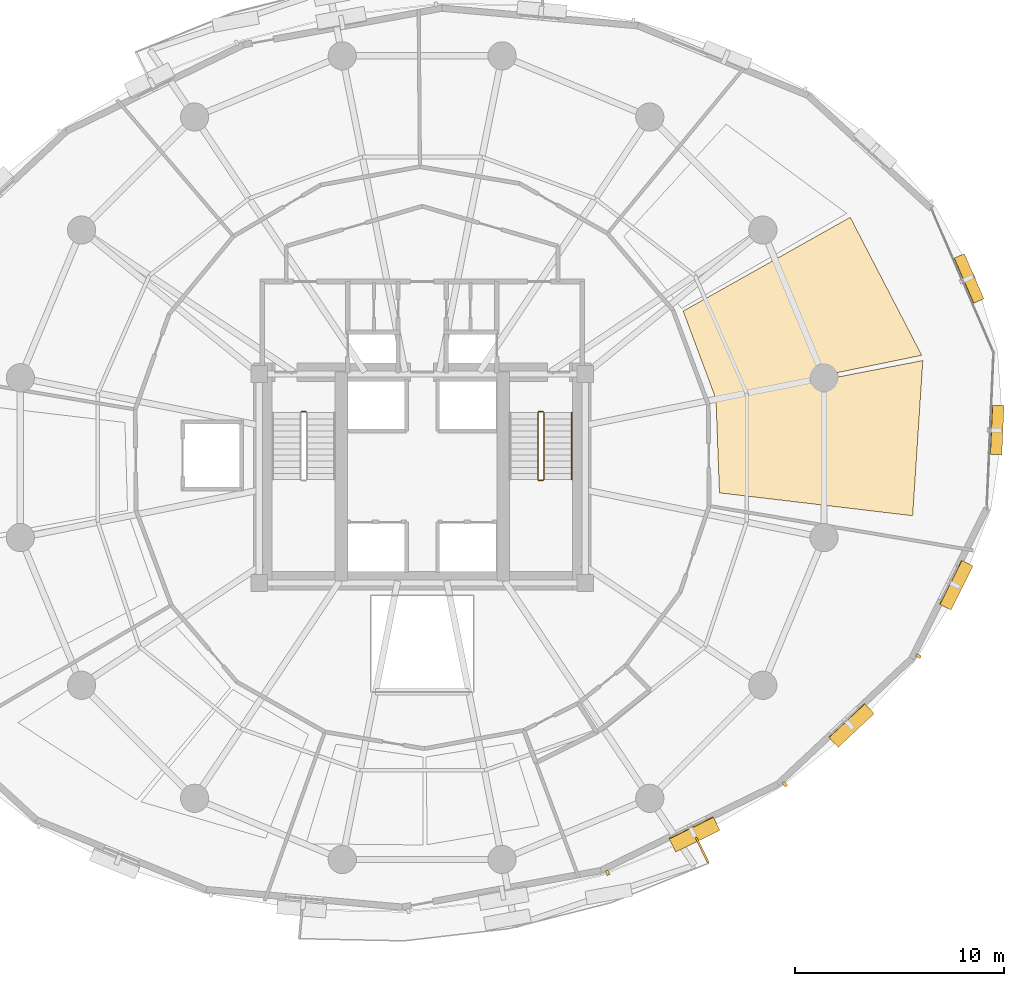
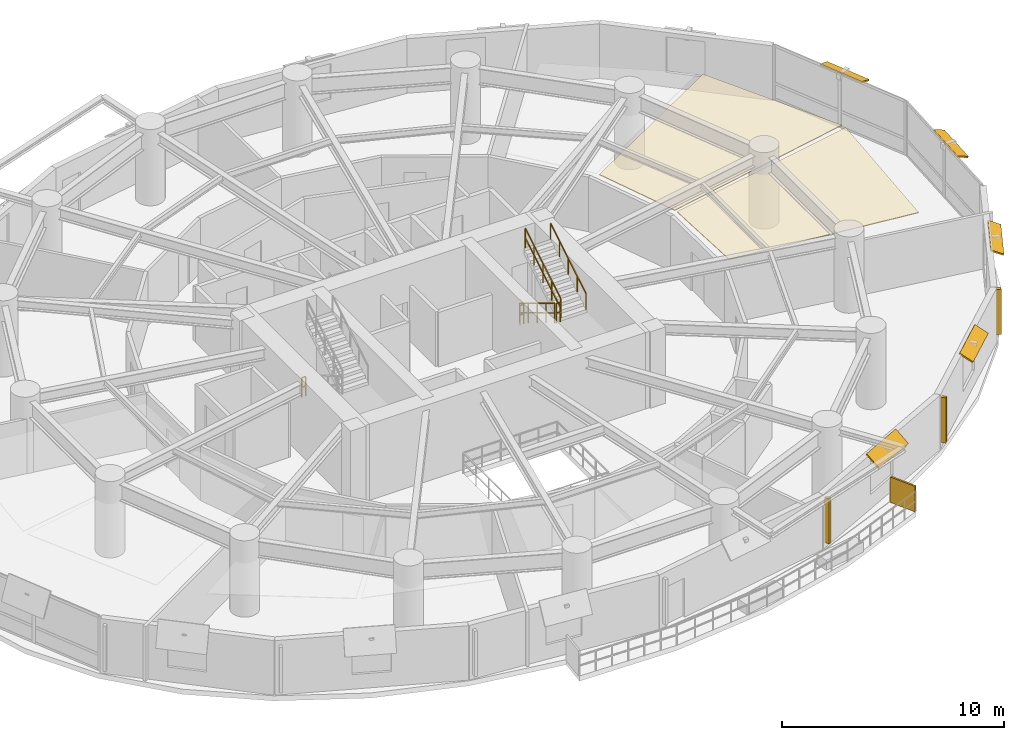
# One storey, part 16 of 17: 9 shading devices, 6 railings, 2 coverings.
"""IFC4 building model written with IfcOpenShell, lengths in metres."""

import ifcopenshell
import ifcopenshell.guid

model = None  # the IFC model being written
_history = None  # IfcOwnerHistory: only IFC2X3 demands one
_inside = {}  # id of a spatial element -> (the spatial element, [elements in it])
_under = {}  # id of a project, library or spatial element -> (it, [spatial elements below it])
_declared = {}  # id of a project -> (the project, [libraries it declares])
_typed = {}  # id of a type object -> (the type object, [elements of that type])
_made_of = {}  # id of a material, layer set ... -> (it, [elements and type objects made of it])


def new_model(schema):
    """Start an empty IFC model of exactly this schema.

    Asked for "IFC4X3", IfcOpenShell would pick the latest addendum, in which some entities
    have other attributes; the version numbers below select the first issue.
    IFC2X3 requires an IfcOwnerHistory on every rooted entity: one is made here for all.
    """
    global model, _history
    if schema == "IFC4X3":
        model = ifcopenshell.file(schema_version=(4, 3, 0, 0))
    else:
        model = ifcopenshell.file(schema=schema)
    _inside.clear()
    _under.clear()
    _declared.clear()
    _typed.clear()
    _made_of.clear()
    _history = None
    if model.schema == "IFC2X3":
        org = make("IfcOrganization", Name="unknown")
        user = make(
            "IfcPersonAndOrganization",
            ThePerson=make("IfcPerson", FamilyName="unknown"),
            TheOrganization=org,
        )
        app = make(
            "IfcApplication",
            ApplicationDeveloper=org,
            Version="unknown",
            ApplicationFullName="unknown",
            ApplicationIdentifier="unknown",
        )
        _history = make(
            "IfcOwnerHistory",
            OwningUser=user,
            OwningApplication=app,
            ChangeAction="ADDED",
            CreationDate=0,
        )
    return model


def make(cls, **values):
    """One entity of the class cls with the attributes given. An attribute that is None is left unset."""
    return model.create_entity(
        cls, **{name: value for name, value in values.items() if value is not None}
    )


def rooted(cls, **values):
    """An entity with a GlobalId (a new one), such as an element, a storey or a relation."""
    return make(cls, GlobalId=ifcopenshell.guid.new(), OwnerHistory=_history, **values)


def si_unit(unit_type, name, prefix=None):
    """IfcSIUnit, for example si_unit("LENGTHUNIT", "METRE", prefix="MILLI")."""
    return make("IfcSIUnit", UnitType=unit_type, Prefix=prefix, Name=name)


def assignment(units):
    """IfcUnitAssignment: the units of a project."""
    return None if units is None else make("IfcUnitAssignment", Units=units)


def point(xyz):
    """IfcCartesianPoint."""
    return None if xyz is None else make("IfcCartesianPoint", Coordinates=xyz)


def direction(xyz):
    """IfcDirection."""
    return None if xyz is None else make("IfcDirection", DirectionRatios=xyz)


def frame(location, z_axis=None, x_axis=None):
    """IfcAxis2Placement3D, a coordinate frame: its origin and axes. An axis left out is left unset."""
    return make(
        "IfcAxis2Placement3D",
        Location=point(location),
        Axis=direction(z_axis),
        RefDirection=direction(x_axis),
    )


def frame_2d(location, x_axis=None):
    """IfcAxis2Placement2D, a coordinate frame in the plane: its origin and x axis."""
    return make(
        "IfcAxis2Placement2D", Location=point(location), RefDirection=direction(x_axis)
    )


def origin():
    """The frame at (0, 0, 0) with its axes left unset."""
    return frame((0.0, 0.0, 0.0))


def origin_2d():
    """The frame at (0, 0) in the plane with its x axis left unset."""
    return frame_2d((0.0, 0.0))


def place(relative_to, where):
    """IfcLocalPlacement: puts the frame where relative to a parent placement (None: the world)."""
    return make(
        "IfcLocalPlacement", PlacementRelTo=relative_to, RelativePlacement=where
    )


def context(
    kind, dimensions, precision=None, world=None, true_north=None, identifier=None
):
    """IfcGeometricRepresentationContext, for example the 3D "Model" context."""
    return make(
        "IfcGeometricRepresentationContext",
        ContextIdentifier=identifier,
        ContextType=kind,
        CoordinateSpaceDimension=dimensions,
        Precision=precision,
        WorldCoordinateSystem=world,
        TrueNorth=true_north,
    )


def subcontext(parent, identifier, kind, view, scale=None):
    """IfcGeometricRepresentationSubContext, for example "Body" below "Model"."""
    return make(
        "IfcGeometricRepresentationSubContext",
        ContextIdentifier=identifier,
        ContextType=kind,
        ParentContext=parent,
        TargetScale=scale,
        TargetView=view,
    )


def project(units=None, contexts=None):
    """IfcProject with its units and contexts."""
    return rooted(
        "IfcProject",
        Name="project",
        RepresentationContexts=contexts,
        UnitsInContext=assignment(units),
    )


def spatial(cls, under=None, at=None, **own):
    """A site, building, storey or space (cls), placed at a placement, below another one or the project."""
    s = rooted(cls, ObjectPlacement=at, **own)
    if under is not None:
        _under.setdefault(under.id(), (under, []))[1].append(s)
    return s


def polyline(points):
    """IfcPolyline through the points."""
    return make("IfcPolyline", Points=[point(p) for p in points])


def profile(cls, at=None, kind="AREA", **sizes):
    """A parametric profile (cls). Its sizes go by their IFC names, for example OverallWidth=200.0."""
    return make(cls, ProfileType=kind, Position=at, **sizes)


def rectangle(**sizes):
    """IfcRectangleProfileDef."""
    return profile("IfcRectangleProfileDef", **sizes)


def outline(outer, holes=None, kind="AREA"):
    """IfcArbitraryClosedProfileDef: a profile drawn as a closed curve; with holes, ...WithVoids."""
    if holes is None:
        return make("IfcArbitraryClosedProfileDef", ProfileType=kind, OuterCurve=outer)
    return make(
        "IfcArbitraryProfileDefWithVoids",
        ProfileType=kind,
        OuterCurve=outer,
        InnerCurves=holes,
    )


def extrude(swept, where, along, depth):
    """IfcExtrudedAreaSolid: the profile swept, set in the frame where, extruded along a direction by depth."""
    return make(
        "IfcExtrudedAreaSolid",
        SweptArea=swept,
        Position=where,
        ExtrudedDirection=direction(along),
        Depth=depth,
    )


def shape(context_of_items, identifier, shape_type, items):
    """IfcShapeRepresentation: the items that make up one representation, for example the "Body"."""
    return make(
        "IfcShapeRepresentation",
        ContextOfItems=context_of_items,
        RepresentationIdentifier=identifier,
        RepresentationType=shape_type,
        Items=items,
    )


def material(Name=None, Category=None):
    """IfcMaterial."""
    return make("IfcMaterial", Name=Name, Category=Category)


def layer(
    of_material, thickness, ventilated=None, Name=None, Category=None, Priority=None
):
    """IfcMaterialLayer: one layer of a wall or slab, of a material (None: an air gap)."""
    return make(
        "IfcMaterialLayer",
        Material=of_material,
        LayerThickness=thickness,
        IsVentilated=ventilated,
        Name=Name,
        Category=Category,
        Priority=Priority,
    )


def layer_set(layers, Name=None):
    """IfcMaterialLayerSet."""
    return make("IfcMaterialLayerSet", MaterialLayers=layers, LayerSetName=Name)


def made_of(thing, what):
    """Note that an element or type object is made of a material, layer set ...; save() writes the relation."""
    if what is not None:
        _made_of.setdefault(what.id(), (what, []))[1].append(thing)
    return thing


def type_object(cls, material=None, **own):
    """A type object (cls), such as IfcWallType, which elements share."""
    return made_of(rooted(cls, **own), material)


def element(
    cls,
    number,
    at=None,
    inside=None,
    cuts=None,
    type_object=None,
    material=None,
    context=None,
    identifier="Body",
    shape_type=None,
    held_by="IfcProductDefinitionShape",
    body=None,
    shapes=None,
    **own,
):
    """One element of the class cls, such as IfcWall. Its Tag is "e" and its number.

    at: its placement. inside: the storey or other place that contains it. cuts: it is an
    opening in that element (IfcRelVoidsElement). A single representation is given by context,
    identifier, shape_type and body (its items); several are given by shapes. held_by: the class
    of the entity that holds the representations. save() writes the other relations.
    """
    e = rooted(cls, Tag="e%d" % number, ObjectPlacement=at, **own)
    if body is not None:
        shapes = [shape(context, identifier, shape_type, body)]
    if shapes is not None:
        e.Representation = make(held_by, Representations=shapes)
    if inside is not None:
        _inside.setdefault(inside.id(), (inside, []))[1].append(e)
    if cuts is not None:
        rooted(
            "IfcRelVoidsElement", RelatingBuildingElement=cuts, RelatedOpeningElement=e
        )
    if type_object is not None:
        _typed.setdefault(type_object.id(), (type_object, []))[1].append(e)
    return made_of(e, material)


def aggregate(whole, parts):
    """IfcRelAggregates: a whole, such as a stair, and the parts it consists of."""
    return rooted("IfcRelAggregates", RelatingObject=whole, RelatedObjects=parts)


def save(model, path):
    """Write the relations noted so far, then the file.

    IfcRelAggregates (storeys below a building ...), IfcRelContainedInSpatialStructure (elements
    in a storey), IfcRelDefinesByType, IfcRelAssociatesMaterial and IfcRelDeclares: one each for
    every whole, place, type object, material and project.
    """
    for whole, parts in _under.values():
        aggregate(whole, parts)
    for where, things in _inside.values():
        rooted(
            "IfcRelContainedInSpatialStructure",
            RelatedElements=things,
            RelatingStructure=where,
        )
    for kind, things in _typed.values():
        rooted("IfcRelDefinesByType", RelatedObjects=things, RelatingType=kind)
    for what, things in _made_of.values():
        rooted("IfcRelAssociatesMaterial", RelatedObjects=things, RelatingMaterial=what)
    for by, libraries in _declared.values():
        rooted("IfcRelDeclares", RelatingContext=by, RelatedDefinitions=libraries)
    model.write(path)


model = new_model("IFC4")

# Units and contexts
model_context = context("Model", 3, precision=1e-05, world=origin(), true_north=direction((0.0, 1.0)))
body_context = subcontext(model_context, "Body", "Model", "MODEL_VIEW")
ifc_project = project(units=[si_unit("LENGTHUNIT", "METRE"), si_unit("AREAUNIT", "SQUARE_METRE"), si_unit("VOLUMEUNIT", "CUBIC_METRE"), si_unit("PLANEANGLEUNIT", "RADIAN"), si_unit("MASSUNIT", "GRAM", prefix="KILO"), si_unit("THERMODYNAMICTEMPERATUREUNIT", "KELVIN"), si_unit("POWERUNIT", "WATT")], contexts=[model_context])

# Site, building, storey
site_placement = place(None, origin())
site = spatial("IfcSite", under=ifc_project, at=site_placement, CompositionType="ELEMENT")
building_placement = place(site_placement, origin())
building = spatial("IfcBuilding", under=site, at=building_placement, Name="Ocrelia Relay Tower", CompositionType="ELEMENT")
storey_placement = place(building_placement, frame((0.0, 0.0, 76.199951171875)))
storey = spatial("IfcBuildingStorey", under=building, at=storey_placement, Name="L17", CompositionType="ELEMENT", Elevation=76.199951171875)

# Coverings
ifc_material_1 = material(Name="Cleanroom metal-pan acoustic ceiling", Category="aluminium")
ifc_layer_1 = layer(ifc_material_1, 0.0400390625, Name="Cleanroom metal-pan acoustic ceiling")
ifc_layer_set_1 = layer_set([ifc_layer_1], Name="Cleanroom metal-pan acoustic ceiling")
covering_type = type_object("IfcCoveringType", Name="COV-CEIL-CLEAN", PredefinedType="CEILING", material=ifc_layer_set_1)
covering_1_placement = place(storey_placement, frame((0.0, 0.0, 2.920166015625)))
element("IfcCovering", 1, at=covering_1_placement, inside=storey, type_object=covering_type, Name="L17 Colocation Data Hall A Suspended Ceiling 1", PredefinedType="CEILING", context=body_context, shape_type="SweptSolid", body=[
    extrude(outline(polyline([(48.220703125, 24.31689453125), (57.465087890625, 23.22265625), (57.952392578125, 30.648681640625), (48.0576171875, 28.728271484375), (48.220703125, 24.31689453125)])), origin(), (0.0, 0.0, 1.0), 0.039794921875),
])
covering_2_placement = place(storey_placement, frame((0.0, 0.0, 2.920166015625)))
element("IfcCovering", 2, at=covering_2_placement, inside=storey, type_object=covering_type, Name="L17 Colocation Data Hall A Suspended Ceiling 2", PredefinedType="CEILING", context=body_context, shape_type="SweptSolid", body=[
    extrude(outline(polyline([(48.0283203125, 28.87548828125), (57.8994140625, 30.898681640625), (54.478515625, 37.499755859375), (46.486083984375, 33.01171875), (48.0283203125, 28.87548828125)])), origin(), (0.0, 0.0, 1.0), 0.039794921875),
])

# Railings
ifc_material_2 = material(Name="Steel S355 balustrade", Category="steel")
railing_type_1 = type_object("IfcRailingType", Name="RL-STAIR-GUARD", PredefinedType="GUARDRAIL", material=ifc_material_2)
railing_1_placement = place(storey_placement, frame((28.22998046875, 28.199951171875, 0.0)))
element("IfcRailing", 3, at=railing_1_placement, inside=storey, type_object=railing_type_1, Name="L17 ST1 stair guard 4", PredefinedType="GUARDRAIL", context=body_context, shape_type="SweptSolid", body=[
    extrude(rectangle(XDim=0.048095703125, YDim=0.048095703125, at=origin_2d()), frame((0.0, 0.0, 1.076171875), z_axis=(1.0, 0.0, 0.0), x_axis=(0.0, 1.0, 0.0)), (0.0, 0.0, 1.0), 0.199951171875),
    extrude(rectangle(XDim=0.048095703125, YDim=0.048095703125, at=origin_2d()), frame((0.0, 0.0, 0.550048828125), z_axis=(1.0, 0.0, 0.0), x_axis=(0.0, 1.0, 0.0)), (0.0, 0.0, 1.0), 0.199951171875),
    extrude(rectangle(XDim=0.0419921875, YDim=0.0419921875, at=origin_2d()), origin(), (0.0, 0.0, 1.0), 1.052001953125),
    extrude(rectangle(XDim=0.0419921875, YDim=0.0419921875, at=origin_2d()), frame((0.199951171875, 0.0, 0.0)), (0.0, 0.0, 1.0), 1.052001953125),
])
railing_2_placement = place(storey_placement, frame((39.530029296875, 28.14990234375, 0.175048828125)))
element("IfcRailing", 4, at=railing_2_placement, inside=storey, type_object=railing_type_1, Name="L17 ST2 stair guard 1", PredefinedType="GUARDRAIL", context=body_context, shape_type="SweptSolid", body=[
    extrude(rectangle(XDim=0.048095703125, YDim=0.048095703125, at=origin_2d()), frame((0.0, 0.0, 1.076171875), z_axis=(0.0, -0.856177665481, 0.516681531633), x_axis=(1.0, 0.0, 0.0)), (0.0, 0.0, 1.0), 3.725830078125),
    extrude(rectangle(XDim=0.048095703125, YDim=0.048095703125, at=origin_2d()), frame((0.0, 0.0, 0.550048828125), z_axis=(0.0, -0.856177665481, 0.516681531633), x_axis=(1.0, 0.0, 0.0)), (0.0, 0.0, 1.0), 3.725830078125),
    extrude(rectangle(XDim=0.0419921875, YDim=0.0419921875, at=origin_2d()), origin(), (0.0, 0.0, 1.0), 1.052001953125),
    extrude(rectangle(XDim=0.0419921875, YDim=0.0419921875, at=origin_2d()), frame((0.0, -0.79736328125, 0.481201171875)), (0.0, 0.0, 1.0), 1.052001953125),
    extrude(rectangle(XDim=0.0419921875, YDim=0.0419921875, at=origin_2d()), frame((0.0, -1.594970703125, 0.96240234375)), (0.0, 0.0, 1.0), 1.052001953125),
    extrude(rectangle(XDim=0.0419921875, YDim=0.0419921875, at=origin_2d()), frame((0.0, -2.392578125, 1.44384765625)), (0.0, 0.0, 1.0), 1.052001953125),
    extrude(rectangle(XDim=0.0419921875, YDim=0.0419921875, at=origin_2d()), frame((0.0, -3.18994140625, 1.925048828125)), (0.0, 0.0, 1.0), 1.052001953125),
])
railing_3_placement = place(storey_placement, frame((39.580078125, 24.909912109375, 2.10009765625)))
element("IfcRailing", 5, at=railing_3_placement, inside=storey, type_object=railing_type_1, Name="L17 ST2 stair guard 2", PredefinedType="GUARDRAIL", context=body_context, shape_type="SweptSolid", body=[
    extrude(rectangle(XDim=0.048095703125, YDim=0.048095703125, at=origin_2d()), frame((0.0, 0.0, 1.076171875), z_axis=(1.0, 0.0, 0.0), x_axis=(0.0, 1.0, 0.0)), (0.0, 0.0, 1.0), 0.199951171875),
    extrude(rectangle(XDim=0.048095703125, YDim=0.048095703125, at=origin_2d()), frame((0.0, 0.0, 0.550048828125), z_axis=(1.0, 0.0, 0.0), x_axis=(0.0, 1.0, 0.0)), (0.0, 0.0, 1.0), 0.199951171875),
    extrude(rectangle(XDim=0.0419921875, YDim=0.0419921875, at=origin_2d()), origin(), (0.0, 0.0, 1.0), 1.052001953125),
    extrude(rectangle(XDim=0.0419921875, YDim=0.0419921875, at=origin_2d()), frame((0.199951171875, 0.0, 0.0)), (0.0, 0.0, 1.0), 1.052001953125),
])
railing_4_placement = place(storey_placement, frame((39.830078125, 24.9599609375, 2.275146484375)))
element("IfcRailing", 6, at=railing_4_placement, inside=storey, type_object=railing_type_1, Name="L17 ST2 stair guard 3", PredefinedType="GUARDRAIL", context=body_context, shape_type="SweptSolid", body=[
    extrude(rectangle(XDim=0.048095703125, YDim=0.048095703125, at=origin_2d()), frame((0.0, 0.0, 1.076171875), z_axis=(0.0, 0.856206652436, 0.516633495163), x_axis=(-1.0, 0.0, 0.0)), (0.0, 0.0, 1.0), 3.7255859375),
    extrude(rectangle(XDim=0.048095703125, YDim=0.048095703125, at=origin_2d()), frame((0.0, 0.0, 0.550048828125), z_axis=(0.0, 0.856206652436, 0.516633495163), x_axis=(-1.0, 0.0, 0.0)), (0.0, 0.0, 1.0), 3.7255859375),
    extrude(rectangle(XDim=0.0419921875, YDim=0.0419921875, at=origin_2d()), origin(), (0.0, 0.0, 1.0), 1.052001953125),
    extrude(rectangle(XDim=0.0419921875, YDim=0.0419921875, at=origin_2d()), frame((0.0, 0.79736328125, 0.481201171875)), (0.0, 0.0, 1.0), 1.052001953125),
    extrude(rectangle(XDim=0.0419921875, YDim=0.0419921875, at=origin_2d()), frame((0.0, 1.594970703125, 0.96240234375)), (0.0, 0.0, 1.0), 1.052001953125),
    extrude(rectangle(XDim=0.0419921875, YDim=0.0419921875, at=origin_2d()), frame((0.0, 2.392578125, 1.443603515625)), (0.0, 0.0, 1.0), 1.052001953125),
    extrude(rectangle(XDim=0.0419921875, YDim=0.0419921875, at=origin_2d()), frame((0.0, 3.18994140625, 1.9248046875)), (0.0, 0.0, 1.0), 1.052001953125),
])
railing_5_placement = place(storey_placement, frame((39.580078125, 28.199951171875, 0.0)))
element("IfcRailing", 7, at=railing_5_placement, inside=storey, type_object=railing_type_1, Name="L17 ST2 stair guard 4", PredefinedType="GUARDRAIL", context=body_context, shape_type="SweptSolid", body=[
    extrude(rectangle(XDim=0.048095703125, YDim=0.048095703125, at=origin_2d()), frame((0.0, 0.0, 1.076171875), z_axis=(1.0, 0.0, 0.0), x_axis=(0.0, 1.0, 0.0)), (0.0, 0.0, 1.0), 0.199951171875),
    extrude(rectangle(XDim=0.048095703125, YDim=0.048095703125, at=origin_2d()), frame((0.0, 0.0, 0.550048828125), z_axis=(1.0, 0.0, 0.0), x_axis=(0.0, 1.0, 0.0)), (0.0, 0.0, 1.0), 0.199951171875),
    extrude(rectangle(XDim=0.0419921875, YDim=0.0419921875, at=origin_2d()), origin(), (0.0, 0.0, 1.0), 1.052001953125),
    extrude(rectangle(XDim=0.0419921875, YDim=0.0419921875, at=origin_2d()), frame((0.199951171875, 0.0, 0.0)), (0.0, 0.0, 1.0), 1.052001953125),
])
ifc_material_3 = material(Name="Steel S355 tubular handrail", Category="steel")
railing_type_2 = type_object("IfcRailingType", Name="RL-STAIR-HAND", PredefinedType="HANDRAIL", material=ifc_material_3)
railing_6_placement = place(storey_placement, frame((41.14990234375, 24.9599609375, 2.275146484375)))
element("IfcRailing", 8, at=railing_6_placement, inside=storey, type_object=railing_type_2, Name="L17 ST2 stair handrail 2", PredefinedType="HANDRAIL", context=body_context, shape_type="SweptSolid", body=[
    extrude(rectangle(XDim=0.048095703125, YDim=0.048095703125, at=origin_2d()), frame((0.0, 0.0, 0.8759765625), z_axis=(0.0, 0.856206652436, 0.516633495163), x_axis=(-1.0, 0.0, 0.0)), (0.0, 0.0, 1.0), 3.7255859375),
    extrude(rectangle(XDim=0.0419921875, YDim=0.0419921875, at=origin_2d()), origin(), (0.0, 0.0, 1.0), 0.851806640625),
    extrude(rectangle(XDim=0.0419921875, YDim=0.0419921875, at=origin_2d()), frame((0.0, 0.79736328125, 0.481201171875)), (0.0, 0.0, 1.0), 0.851806640625),
    extrude(rectangle(XDim=0.0419921875, YDim=0.0419921875, at=origin_2d()), frame((0.0, 1.594970703125, 0.96240234375)), (0.0, 0.0, 1.0), 0.851806640625),
    extrude(rectangle(XDim=0.0419921875, YDim=0.0419921875, at=origin_2d()), frame((0.0, 2.392578125, 1.443603515625)), (0.0, 0.0, 1.0), 0.851806640625),
    extrude(rectangle(XDim=0.0419921875, YDim=0.0419921875, at=origin_2d()), frame((0.0, 3.18994140625, 1.9248046875)), (0.0, 0.0, 1.0), 0.851806640625),
])

# Shading devices
ifc_material_4 = material(Name="Perforated oxide terracotta solar screen", Category="masonry")
ifc_layer_2 = layer(ifc_material_4, 0.090087890625, Name="Perforated oxide terracotta solar screen")
ifc_layer_set_2 = layer_set([ifc_layer_2], Name="Perforated oxide terracotta solar screen")
shading_device_type_1 = type_object("IfcShadingDeviceType", Name="SH-BALC-SCREEN", PredefinedType="USERDEFINED", material=ifc_layer_set_2)
shading_device_1_placement = place(storey_placement, frame((47.402099609375, 7.216064453125, 0.0), z_axis=(0.0, 0.0, 1.0), x_axis=(0.440195789928, -0.897901813413, 0.0)))
element("IfcShadingDevice", 9, at=shading_device_1_placement, inside=storey, type_object=shading_device_type_1, Name="L17 Balcony Perforated Terracotta Screen B2-2", ObjectType="SCREEN", PredefinedType="USERDEFINED", context=body_context, shape_type="SweptSolid", body=[
    extrude(rectangle(XDim=1.340087890625, YDim=0.090087890625, at=origin_2d()), origin(), (0.0, 0.0, 1.0), 1.39990234375),
])
ifc_material_5 = material(Name="Extruded oxide terracotta vertical baguette", Category="masonry")
shading_device_type_2 = type_object("IfcShadingDeviceType", Name="SH-TERR-BAGUETTE", PredefinedType="USERDEFINED", material=ifc_material_5)
for number, where, z_axis, x_axis, name in (
    (10, (42.86865234375, 6.145751953125, 0.25), (0.0, 0.0, 1.0), (0.898546192642, 0.438878957901, 0.0), "L17 Oxide Terracotta Vertical Baguette 15"),
    (11, (51.34765625, 10.37744140625, 0.25), (0.0, 0.0, 1.0), (0.729123876607, 0.68438174476, 0.0), "L17 Oxide Terracotta Vertical Baguette 16"),
    (12, (57.739013671875, 16.51025390625, 0.25), (0.0, 0.0, 1.0), (0.446969237962, 0.894549328051, 0.0), "L17 Oxide Terracotta Vertical Baguette 17"),
):
    element("IfcShadingDevice", number, at=place(storey_placement, frame(where, z_axis=z_axis, x_axis=x_axis)), inside=storey, type_object=shading_device_type_2, Name=name, ObjectType="BAGUETTE", PredefinedType="USERDEFINED", context=body_context, shape_type="SweptSolid", body=[
        extrude(rectangle(XDim=0.139892578125, YDim=0.239990234375, at=origin_2d()), origin(), (0.0, 0.0, 1.0), 2.5),
    ])
ifc_material_6 = material(Name="Extruded oxide terracotta fin", Category="masonry")
ifc_layer_3 = layer(ifc_material_6, 0.080078125, Name="Extruded oxide terracotta fin")
ifc_layer_set_3 = layer_set([ifc_layer_3], Name="Extruded oxide terracotta fin")
shading_device_type_3 = type_object("IfcShadingDeviceType", Name="SH-VISOR-FIN-MED", PredefinedType="USERDEFINED", material=ifc_layer_set_3)
shading_device_2_placement = place(storey_placement, frame((47.010009765625, 8.007568359375, 2.808349609375), z_axis=(0.267051025427, -0.546751394247, 0.793565789779), x_axis=(0.898546192642, 0.438878957901, 0.0)))
element("IfcShadingDevice", 13, at=shading_device_2_placement, inside=storey, type_object=shading_device_type_3, Name="L17 Canted Terracotta Sun-Visor Fin 15", ObjectType="FIN", PredefinedType="USERDEFINED", context=body_context, shape_type="SweptSolid", body=[
    extrude(rectangle(XDim=2.35009765625, YDim=0.875, at=origin_2d()), origin(), (0.0, 0.0, 1.0), 0.080078125),
])
ifc_layer_4 = layer(ifc_material_6, 0.080078125, Name="Extruded oxide terracotta fin")
ifc_layer_set_4 = layer_set([ifc_layer_4], Name="Extruded oxide terracotta fin")
shading_device_type_4 = type_object("IfcShadingDeviceType", Name="SH-VISOR-FIN-SHAL", PredefinedType="USERDEFINED", material=ifc_layer_set_4)
shading_device_3_placement = place(storey_placement, frame((60.1416015625, 34.5654296875, 2.802001953125), z_axis=(0.286167932285, 0.123897228274, 0.950135459478), x_axis=(-0.397313471249, 0.917682954818, 0.0)))
element("IfcShadingDevice", 14, at=shading_device_3_placement, inside=storey, type_object=shading_device_type_4, Name="L17 Canted Terracotta Sun-Visor Fin 01", ObjectType="FIN", PredefinedType="USERDEFINED", context=body_context, shape_type="SweptSolid", body=[
    extrude(rectangle(XDim=2.35009765625, YDim=0.552978515625, at=origin_2d()), origin(), (0.0, 0.0, 1.0), 0.080078125),
])
shading_device_4_placement = place(storey_placement, frame((54.51708984375, 13.21044921875, 2.804931640625), z_axis=(0.330854207367, -0.352484127629, 0.875380164978), x_axis=(0.729123876607, 0.68438174476, 0.0)))
element("IfcShadingDevice", 15, at=shading_device_4_placement, inside=storey, type_object=shading_device_type_4, Name="L17 Canted Terracotta Sun-Visor Fin 16", ObjectType="FIN", PredefinedType="USERDEFINED", context=body_context, shape_type="SweptSolid", body=[
    extrude(rectangle(XDim=2.35009765625, YDim=0.73193359375, at=origin_2d()), origin(), (0.0, 0.0, 1.0), 0.080078125),
])
shading_device_5_placement = place(storey_placement, frame((59.53369140625, 19.914794921875, 2.80322265625), z_axis=(0.352256962101, -0.176008209922, 0.919204081089), x_axis=(0.446969237962, 0.894549328051, 0.0)))
element("IfcShadingDevice", 16, at=shading_device_5_placement, inside=storey, type_object=shading_device_type_4, Name="L17 Canted Terracotta Sun-Visor Fin 17", ObjectType="FIN", PredefinedType="USERDEFINED", context=body_context, shape_type="SweptSolid", body=[
    extrude(rectangle(XDim=2.35009765625, YDim=0.636962890625, at=origin_2d()), origin(), (0.0, 0.0, 1.0), 0.080078125),
])
shading_device_6_placement = place(storey_placement, frame((61.48388671875, 27.32421875, 2.802490234375), z_axis=(0.338248828897, -0.014828363429, 0.940939875544), x_axis=(0.04379656013, 0.999040470312, 0.0)))
element("IfcShadingDevice", 17, at=shading_device_6_placement, inside=storey, type_object=shading_device_type_4, Name="L17 Canted Terracotta Sun-Visor Fin 18", ObjectType="FIN", PredefinedType="USERDEFINED", context=body_context, shape_type="SweptSolid", body=[
    extrude(rectangle(XDim=2.35009765625, YDim=0.580078125, at=origin_2d()), origin(), (0.0, 0.0, 1.0), 0.080078125),
])

save(model, "model.ifc")
